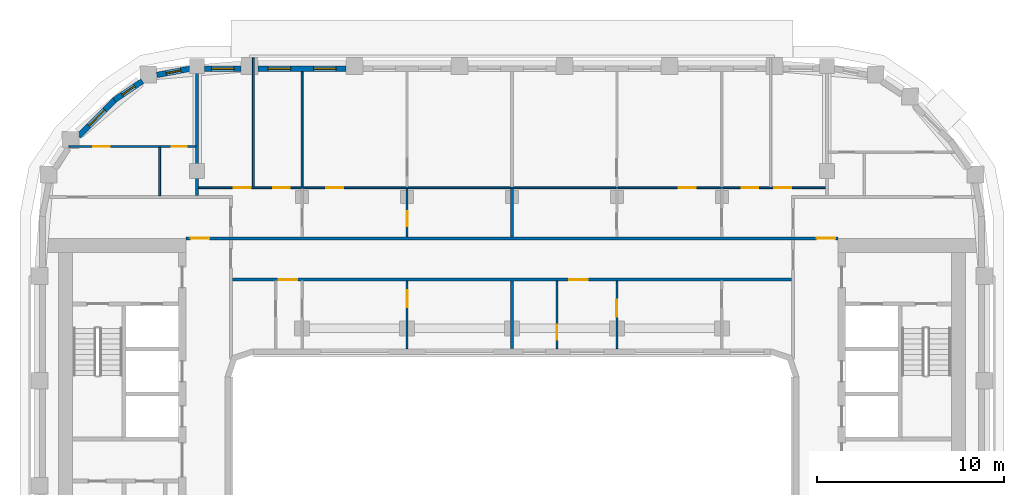
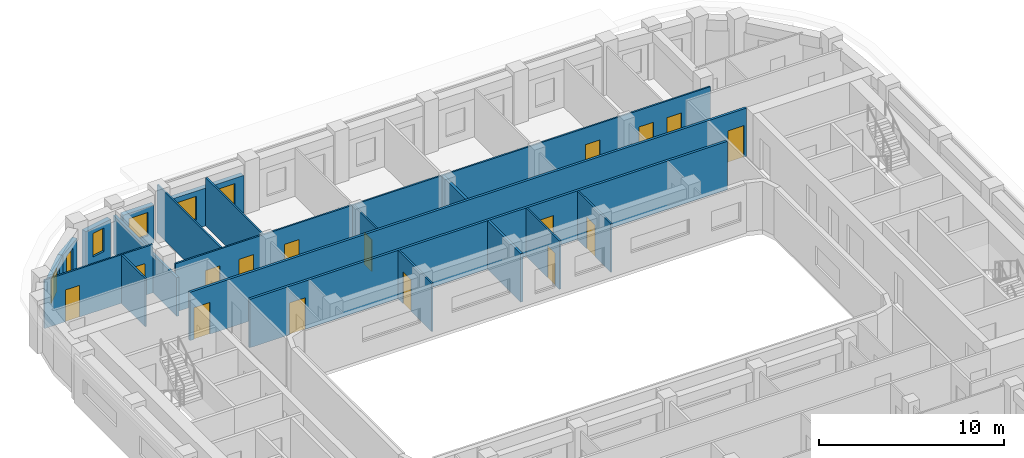
# One storey, part 7 of 20: 19 walls, 16 doors, 6 windows, 22 openings.
"""IFC4 building model written with IfcOpenShell, lengths in metres."""

from ifc_helpers import new_model, si_unit, direction, frame, frame_2d, origin, place, context, subcontext, project, spatial, rectangle, extrude, material, layer, layer_set, type_object, element, fill, save


model = new_model("IFC4")

# Units and contexts
model_context = context("Model", 3, precision=1e-05, world=origin(), true_north=direction((0.0, 1.0)))
body_context = subcontext(model_context, "Body", "Model", "MODEL_VIEW")
ifc_project = project(units=[si_unit("LENGTHUNIT", "METRE"), si_unit("AREAUNIT", "SQUARE_METRE"), si_unit("VOLUMEUNIT", "CUBIC_METRE"), si_unit("PLANEANGLEUNIT", "RADIAN"), si_unit("MASSUNIT", "GRAM", prefix="KILO")], contexts=[model_context])

# Site, building, storey
site_placement = place(None, origin())
site = spatial("IfcSite", under=ifc_project, at=site_placement, CompositionType="ELEMENT")
building_placement = place(site_placement, origin())
building = spatial("IfcBuilding", under=site, at=building_placement, Name="Kiln Ring Residences", CompositionType="ELEMENT")
storey_placement = place(building_placement, frame((0.0, 0.0, 206.39990234375)))
storey = spatial("IfcBuildingStorey", under=building, at=storey_placement, Name="L53", CompositionType="ELEMENT", Elevation=206.39990234375)

# Wall, openings, windows
ifc_material_1 = material(Name="Brick masonry, dark clay brick", Category="masonry")
ifc_layer_1 = layer(ifc_material_1, 0.300048828125)
ifc_layer_set_1 = layer_set([ifc_layer_1], Name="EW-300 BRICK WALL")
wall_type_1 = type_object("IfcWallType", Name="EW-300 BRICK WALL", PredefinedType="SOLIDWALL", material=ifc_layer_set_1)
wall_1_placement = place(storey_placement, frame((-8.85009765625, 22.25, 0.0), z_axis=(0.0, 0.0, 1.0), x_axis=(-1.0, 0.0, 0.0)))
wall_1 = element("IfcWall", 1, at=wall_1_placement, inside=storey, type_object=wall_type_1, Name="Facade wall L53 32", PredefinedType="SOLIDWALL", context=body_context, shape_type="SweptSolid", body=[
    extrude(rectangle(XDim=4.699951171875, YDim=0.300048828125, at=frame_2d((2.35009765625, 0.0))), origin(), (0.0, 0.0, 1.0), 2.5),
])
opening_1_placement = place(wall_1_placement, frame((0.53759765625, 0.0, 0.60009765625)))
opening_1 = element("IfcOpeningElement", 2, at=opening_1_placement, cuts=wall_1, Name="Opening W1", PredefinedType="OPENING", context=body_context, shape_type="SweptSolid", body=[
    extrude(rectangle(XDim=1.199951171875, YDim=1.550048828125, at=frame_2d((0.60009765625, 0.77490234375))), frame((0.0, 0.159912109375, 0.0), z_axis=(0.0, -1.0, 0.0), x_axis=(1.0, 0.0, 0.0)), (0.0, 0.0, 1.0), 0.320068359375),
])
opening_2_placement = place(wall_1_placement, frame((2.96240234375, 0.0, 0.60009765625)))
opening_2 = element("IfcOpeningElement", 3, at=opening_2_placement, cuts=wall_1, Name="Opening W1", PredefinedType="OPENING", context=body_context, shape_type="SweptSolid", body=[
    extrude(rectangle(XDim=1.199951171875, YDim=1.550048828125, at=frame_2d((0.60009765625, 0.77490234375))), frame((0.0, 0.159912109375, 0.0), z_axis=(0.0, -1.0, 0.0), x_axis=(1.0, 0.0, 0.0)), (0.0, 0.0, 1.0), 0.320068359375),
])
ifc_material_2 = material(Name="Aluminium frame with double glazing", Category="aluminium")
window_type_1 = type_object("IfcWindowType", Name="WINDOW 1200 x 1550", PartitioningType="SINGLE_PANEL", PredefinedType="WINDOW", material=ifc_material_2)
window_1_placement = place(opening_1_placement, origin())
window_1 = element("IfcWindow", 4, at=window_1_placement, inside=storey, type_object=window_type_1, Name="Window L53 28", OverallHeight=1.550048828125, OverallWidth=1.199951171875, PartitioningType="SINGLE_PANEL", PredefinedType="WINDOW", context=body_context, shape_type="SweptSolid", body=[
    extrude(rectangle(XDim=1.199951171875, YDim=1.550048828125, at=frame_2d((0.60009765625, 0.77490234375))), frame((0.0, 0.030029296875, 0.0), z_axis=(0.0, -1.0, 0.0), x_axis=(1.0, 0.0, 0.0)), (0.0, 0.0, 1.0), 0.06005859375),
])
fill(opening_1, window_1)
window_2_placement = place(opening_2_placement, origin())
window_2 = element("IfcWindow", 5, at=window_2_placement, inside=storey, type_object=window_type_1, Name="Window L53 29", OverallHeight=1.550048828125, OverallWidth=1.199951171875, PartitioningType="SINGLE_PANEL", PredefinedType="WINDOW", context=body_context, shape_type="SweptSolid", body=[
    extrude(rectangle(XDim=1.199951171875, YDim=1.550048828125, at=frame_2d((0.60009765625, 0.77490234375))), frame((0.0, 0.030029296875, 0.0), z_axis=(0.0, -1.0, 0.0), x_axis=(1.0, 0.0, 0.0)), (0.0, 0.0, 1.0), 0.06005859375),
])
fill(opening_2, window_2)

# Wall, opening, window
wall_2_placement = place(storey_placement, frame((-14.449951171875, 22.25, 0.0), z_axis=(0.0, 0.0, 1.0), x_axis=(-1.0, 0.0, 0.0)))
wall_2 = element("IfcWall", 6, at=wall_2_placement, inside=storey, type_object=wall_type_1, Name="Facade wall L53 33", PredefinedType="SOLIDWALL", context=body_context, shape_type="SweptSolid", body=[
    extrude(rectangle(XDim=1.949951171875, YDim=0.300048828125, at=frame_2d((0.97509765625, 0.0))), origin(), (0.0, 0.0, 1.0), 2.5),
])
opening_3_placement = place(wall_2_placement, frame((0.375, 0.0, 0.60009765625)))
opening_3 = element("IfcOpeningElement", 7, at=opening_3_placement, cuts=wall_2, Name="Opening W1", PredefinedType="OPENING", context=body_context, shape_type="SweptSolid", body=[
    extrude(rectangle(XDim=1.199951171875, YDim=1.550048828125, at=frame_2d((0.60009765625, 0.77490234375))), frame((0.0, 0.159912109375, 0.0), z_axis=(0.0, -1.0, 0.0), x_axis=(1.0, 0.0, 0.0)), (0.0, 0.0, 1.0), 0.320068359375),
])
window_3_placement = place(opening_3_placement, origin())
window_3 = element("IfcWindow", 8, at=window_3_placement, inside=storey, type_object=window_type_1, Name="Window L53 30", OverallHeight=1.550048828125, OverallWidth=1.199951171875, PartitioningType="SINGLE_PANEL", PredefinedType="WINDOW", context=body_context, shape_type="SweptSolid", body=[
    extrude(rectangle(XDim=1.199951171875, YDim=1.550048828125, at=frame_2d((0.60009765625, 0.77490234375))), frame((0.0, 0.030029296875, 0.0), z_axis=(0.0, -1.0, 0.0), x_axis=(1.0, 0.0, 0.0)), (0.0, 0.0, 1.0), 0.06005859375),
])
fill(opening_3, window_3)

wall_3_placement = place(storey_placement, frame((-17.178955078125, 22.251220703125, 0.0), z_axis=(0.0, 0.0, 1.0), x_axis=(-0.98230529033, -0.187286722942, 0.0)))
wall_3 = element("IfcWall", 9, at=wall_3_placement, inside=storey, type_object=wall_type_1, Name="Facade wall L53 34", PredefinedType="SOLIDWALL", context=body_context, shape_type="SweptSolid", body=[
    extrude(rectangle(XDim=1.798828125, YDim=0.300048828125, at=frame_2d((0.8994140625, 0.0))), origin(), (0.0, 0.0, 1.0), 2.5),
])
opening_4_placement = place(wall_3_placement, frame((0.49951171875, 0.0, 0.60009765625)))
opening_4 = element("IfcOpeningElement", 10, at=opening_4_placement, cuts=wall_3, Name="Opening W5", PredefinedType="OPENING", context=body_context, shape_type="SweptSolid", body=[
    extrude(rectangle(XDim=0.800048828125, YDim=1.550048828125, at=frame_2d((0.39990234375, 0.77490234375))), frame((0.0, 0.159912109375, 0.0), z_axis=(0.0, -1.0, 0.0), x_axis=(1.0, 0.0, 0.0)), (0.0, 0.0, 1.0), 0.320068359375),
])
ifc_material_3 = material(Name="Aluminium frame with double glazing", Category="aluminium")
window_type_2 = type_object("IfcWindowType", Name="WINDOW 800 x 1550", PartitioningType="SINGLE_PANEL", PredefinedType="WINDOW", material=ifc_material_3)
window_4_placement = place(opening_4_placement, origin())
window_4 = element("IfcWindow", 11, at=window_4_placement, inside=storey, type_object=window_type_2, Name="Window L53 31", OverallHeight=1.550048828125, OverallWidth=0.800048828125, PartitioningType="SINGLE_PANEL", PredefinedType="WINDOW", context=body_context, shape_type="SweptSolid", body=[
    extrude(rectangle(XDim=0.800048828125, YDim=1.550048828125, at=frame_2d((0.39990234375, 0.77490234375))), frame((0.0, 0.030029296875, 0.0), z_axis=(0.0, -1.0, 0.0), x_axis=(1.0, 0.0, 0.0)), (0.0, 0.0, 1.0), 0.06005859375),
])
fill(opening_4, window_4)

wall_4_placement = place(storey_placement, frame((-19.718994140625, 21.593994140625, 0.0), z_axis=(0.0, 0.0, 1.0), x_axis=(-0.827067282455, -0.562102935673, 0.0)))
wall_4 = element("IfcWall", 12, at=wall_4_placement, inside=storey, type_object=wall_type_1, Name="Facade wall L53 35", PredefinedType="SOLIDWALL", context=body_context, shape_type="SweptSolid", body=[
    extrude(rectangle(XDim=1.805908203125, YDim=0.300048828125, at=frame_2d((0.90283203125, 0.0))), origin(), (0.0, 0.0, 1.0), 2.5),
])
opening_5_placement = place(wall_4_placement, frame((0.5029296875, 0.0, 0.60009765625)))
opening_5 = element("IfcOpeningElement", 13, at=opening_5_placement, cuts=wall_4, Name="Opening W5", PredefinedType="OPENING", context=body_context, shape_type="SweptSolid", body=[
    extrude(rectangle(XDim=0.800048828125, YDim=1.550048828125, at=frame_2d((0.39990234375, 0.77490234375))), frame((0.0, 0.159912109375, 0.0), z_axis=(0.0, -1.0, 0.0), x_axis=(1.0, 0.0, 0.0)), (0.0, 0.0, 1.0), 0.320068359375),
])
window_5_placement = place(opening_5_placement, origin())
window_5 = element("IfcWindow", 14, at=window_5_placement, inside=storey, type_object=window_type_2, Name="Window L53 32", OverallHeight=1.550048828125, OverallWidth=0.800048828125, PartitioningType="SINGLE_PANEL", PredefinedType="WINDOW", context=body_context, shape_type="SweptSolid", body=[
    extrude(rectangle(XDim=0.800048828125, YDim=1.550048828125, at=frame_2d((0.39990234375, 0.77490234375))), frame((0.0, 0.030029296875, 0.0), z_axis=(0.0, -1.0, 0.0), x_axis=(1.0, 0.0, 0.0)), (0.0, 0.0, 1.0), 0.06005859375),
])
fill(opening_5, window_5)

wall_5_placement = place(storey_placement, frame((-21.19091796875, 20.596923828125, 0.0), z_axis=(0.0, 0.0, 1.0), x_axis=(-0.707106781187, -0.707106781187, 0.0)))
wall_5 = element("IfcWall", 15, at=wall_5_placement, inside=storey, type_object=wall_type_1, Name="Facade wall L53 36", PredefinedType="SOLIDWALL", context=body_context, shape_type="SweptSolid", body=[
    extrude(rectangle(XDim=2.75, YDim=0.300048828125, at=frame_2d((1.375, 0.0))), origin(), (0.0, 0.0, 1.0), 2.5),
])
opening_6_placement = place(wall_5_placement, frame((0.77490234375, 0.0, 0.60009765625)))
opening_6 = element("IfcOpeningElement", 16, at=opening_6_placement, cuts=wall_5, Name="Opening W1", PredefinedType="OPENING", context=body_context, shape_type="SweptSolid", body=[
    extrude(rectangle(XDim=1.199951171875, YDim=1.550048828125, at=frame_2d((0.60009765625, 0.77490234375))), frame((0.0, 0.159912109375, 0.0), z_axis=(0.0, -1.0, 0.0), x_axis=(1.0, 0.0, 0.0)), (0.0, 0.0, 1.0), 0.320068359375),
])
window_6_placement = place(opening_6_placement, origin())
window_6 = element("IfcWindow", 17, at=window_6_placement, inside=storey, type_object=window_type_1, Name="Window L53 33", OverallHeight=1.550048828125, OverallWidth=1.199951171875, PartitioningType="SINGLE_PANEL", PredefinedType="WINDOW", context=body_context, shape_type="SweptSolid", body=[
    extrude(rectangle(XDim=1.199951171875, YDim=1.550048828125, at=frame_2d((0.60009765625, 0.77490234375))), frame((0.0, 0.030029296875, 0.0), z_axis=(0.0, -1.0, 0.0), x_axis=(1.0, 0.0, 0.0)), (0.0, 0.0, 1.0), 0.06005859375),
])
fill(opening_6, window_6)

# Wall, openings, doors
ifc_material_4 = material(Name="Gypsum board on steel studs", Category="steel")
ifc_layer_2 = layer(ifc_material_4, 0.10009765625)
ifc_layer_set_2 = layer_set([ifc_layer_2], Name="PARTITION-100")
wall_type_2 = type_object("IfcWallType", Name="PARTITION-100", PredefinedType="PARTITIONING", material=ifc_layer_set_2)
wall_6_placement = place(storey_placement, frame((-16.72509765625, 15.89990234375, 0.0), z_axis=(0.0, 0.0, 1.0), x_axis=(1.0, 0.0, 0.0)))
wall_6 = element("IfcWall", 18, at=wall_6_placement, inside=storey, type_object=wall_type_2, Name="Partition 011", PredefinedType="PARTITIONING", context=body_context, shape_type="SweptSolid", body=[
    extrude(rectangle(XDim=33.4501953125, YDim=0.10009765625, at=frame_2d((16.72509765625, 0.0))), origin(), (0.0, 0.0, 1.0), 3.2001953125),
])
opening_7_placement = place(wall_6_placement, frame((1.875, 0.0, 0.0)))
opening_7 = element("IfcOpeningElement", 19, at=opening_7_placement, cuts=wall_6, Name="Opening L53-D020", PredefinedType="OPENING", context=body_context, shape_type="SweptSolid", body=[
    extrude(rectangle(XDim=0.89990234375, YDim=2.10009765625, at=frame_2d((0.449951171875, 1.050048828125))), frame((0.0, 0.06005859375, 0.0), z_axis=(0.0, -1.0, 0.0), x_axis=(1.0, 0.0, 0.0)), (0.0, 0.0, 1.0), 0.1201171875),
])
opening_8_placement = place(wall_6_placement, frame((3.97509765625, 0.0, 0.0)))
opening_8 = element("IfcOpeningElement", 20, at=opening_8_placement, cuts=wall_6, Name="Opening L53-D021", PredefinedType="OPENING", context=body_context, shape_type="SweptSolid", body=[
    extrude(rectangle(XDim=0.89990234375, YDim=2.10009765625, at=frame_2d((0.449951171875, 1.050048828125))), frame((0.0, 0.06005859375, 0.0), z_axis=(0.0, -1.0, 0.0), x_axis=(1.0, 0.0, 0.0)), (0.0, 0.0, 1.0), 0.1201171875),
])
opening_9_placement = place(wall_6_placement, frame((6.824951171875, 0.0, 0.0)))
opening_9 = element("IfcOpeningElement", 21, at=opening_9_placement, cuts=wall_6, Name="Opening L53-D022", PredefinedType="OPENING", context=body_context, shape_type="SweptSolid", body=[
    extrude(rectangle(XDim=0.89990234375, YDim=2.10009765625, at=frame_2d((0.449951171875, 1.050048828125))), frame((0.0, 0.06005859375, 0.0), z_axis=(0.0, -1.0, 0.0), x_axis=(1.0, 0.0, 0.0)), (0.0, 0.0, 1.0), 0.1201171875),
])
opening_10_placement = place(wall_6_placement, frame((28.97509765625, 0.0, 0.0)))
opening_10 = element("IfcOpeningElement", 22, at=opening_10_placement, cuts=wall_6, Name="Opening L53-D027", PredefinedType="OPENING", context=body_context, shape_type="SweptSolid", body=[
    extrude(rectangle(XDim=0.89990234375, YDim=2.10009765625, at=frame_2d((0.449951171875, 1.050048828125))), frame((0.0, 0.06005859375, 0.0), z_axis=(0.0, -1.0, 0.0), x_axis=(1.0, 0.0, 0.0)), (0.0, 0.0, 1.0), 0.1201171875),
])
opening_11_placement = place(wall_6_placement, frame((30.72509765625, 0.0, 0.0)))
opening_11 = element("IfcOpeningElement", 23, at=opening_11_placement, cuts=wall_6, Name="Opening L53-D028", PredefinedType="OPENING", context=body_context, shape_type="SweptSolid", body=[
    extrude(rectangle(XDim=0.89990234375, YDim=2.10009765625, at=frame_2d((0.449951171875, 1.050048828125))), frame((0.0, 0.06005859375, 0.0), z_axis=(0.0, -1.0, 0.0), x_axis=(1.0, 0.0, 0.0)), (0.0, 0.0, 1.0), 0.1201171875),
])
opening_12_placement = place(wall_6_placement, frame((25.625, 0.0, 0.0)))
opening_12 = element("IfcOpeningElement", 24, at=opening_12_placement, cuts=wall_6, Name="Opening L53-D029", PredefinedType="OPENING", context=body_context, shape_type="SweptSolid", body=[
    extrude(rectangle(XDim=0.89990234375, YDim=2.10009765625, at=frame_2d((0.449951171875, 1.050048828125))), frame((0.0, 0.06005859375, 0.0), z_axis=(0.0, -1.0, 0.0), x_axis=(1.0, 0.0, 0.0)), (0.0, 0.0, 1.0), 0.1201171875),
])
ifc_material_5 = material(Name="Timber door leaf", Category="wood")
door_type_1 = type_object("IfcDoorType", Name="FLAT-DOOR-900-PL", OperationType="SINGLE_SWING_LEFT", PredefinedType="DOOR", material=ifc_material_5)
door_1_placement = place(opening_7_placement, origin())
door_1 = element("IfcDoor", 25, at=door_1_placement, inside=storey, type_object=door_type_1, Name="Door L53-D020", OperationType="SINGLE_SWING_LEFT", OverallHeight=2.10009765625, OverallWidth=0.89990234375, PredefinedType="DOOR", context=body_context, shape_type="SweptSolid", body=[
    extrude(rectangle(XDim=0.89990234375, YDim=2.10009765625, at=frame_2d((0.449951171875, 1.050048828125))), frame((0.0, 0.02490234375, 0.0), z_axis=(0.0, -1.0, 0.0), x_axis=(1.0, 0.0, 0.0)), (0.0, 0.0, 1.0), 0.050048828125),
])
fill(opening_7, door_1)
door_2_placement = place(opening_8_placement, origin())
door_2 = element("IfcDoor", 26, at=door_2_placement, inside=storey, type_object=door_type_1, Name="Door L53-D021", OperationType="SINGLE_SWING_LEFT", OverallHeight=2.10009765625, OverallWidth=0.89990234375, PredefinedType="DOOR", context=body_context, shape_type="SweptSolid", body=[
    extrude(rectangle(XDim=0.89990234375, YDim=2.10009765625, at=frame_2d((0.449951171875, 1.050048828125))), frame((0.0, 0.02490234375, 0.0), z_axis=(0.0, -1.0, 0.0), x_axis=(1.0, 0.0, 0.0)), (0.0, 0.0, 1.0), 0.050048828125),
])
fill(opening_8, door_2)
door_3_placement = place(opening_9_placement, origin())
door_3 = element("IfcDoor", 27, at=door_3_placement, inside=storey, type_object=door_type_1, Name="Door L53-D022", OperationType="SINGLE_SWING_RIGHT", OverallHeight=2.10009765625, OverallWidth=0.89990234375, PredefinedType="DOOR", context=body_context, shape_type="SweptSolid", body=[
    extrude(rectangle(XDim=0.89990234375, YDim=2.10009765625, at=frame_2d((0.449951171875, 1.050048828125))), frame((0.0, 0.02490234375, 0.0), z_axis=(0.0, -1.0, 0.0), x_axis=(1.0, 0.0, 0.0)), (0.0, 0.0, 1.0), 0.050048828125),
])
fill(opening_9, door_3)
door_4_placement = place(opening_10_placement, origin())
door_4 = element("IfcDoor", 28, at=door_4_placement, inside=storey, type_object=door_type_1, Name="Door L53-D027", OperationType="SINGLE_SWING_LEFT", OverallHeight=2.10009765625, OverallWidth=0.89990234375, PredefinedType="DOOR", context=body_context, shape_type="SweptSolid", body=[
    extrude(rectangle(XDim=0.89990234375, YDim=2.10009765625, at=frame_2d((0.449951171875, 1.050048828125))), frame((0.0, 0.02490234375, 0.0), z_axis=(0.0, -1.0, 0.0), x_axis=(1.0, 0.0, 0.0)), (0.0, 0.0, 1.0), 0.050048828125),
])
fill(opening_10, door_4)
door_5_placement = place(opening_11_placement, origin())
door_5 = element("IfcDoor", 29, at=door_5_placement, inside=storey, type_object=door_type_1, Name="Door L53-D028", OperationType="SINGLE_SWING_RIGHT", OverallHeight=2.10009765625, OverallWidth=0.89990234375, PredefinedType="DOOR", context=body_context, shape_type="SweptSolid", body=[
    extrude(rectangle(XDim=0.89990234375, YDim=2.10009765625, at=frame_2d((0.449951171875, 1.050048828125))), frame((0.0, 0.02490234375, 0.0), z_axis=(0.0, -1.0, 0.0), x_axis=(1.0, 0.0, 0.0)), (0.0, 0.0, 1.0), 0.050048828125),
])
fill(opening_11, door_5)
door_6_placement = place(opening_12_placement, origin())
door_6 = element("IfcDoor", 30, at=door_6_placement, inside=storey, type_object=door_type_1, Name="Door L53-D029", OperationType="SINGLE_SWING_LEFT", OverallHeight=2.10009765625, OverallWidth=0.89990234375, PredefinedType="DOOR", context=body_context, shape_type="SweptSolid", body=[
    extrude(rectangle(XDim=0.89990234375, YDim=2.10009765625, at=frame_2d((0.449951171875, 1.050048828125))), frame((0.0, 0.02490234375, 0.0), z_axis=(0.0, -1.0, 0.0), x_axis=(1.0, 0.0, 0.0)), (0.0, 0.0, 1.0), 0.050048828125),
])
fill(opening_12, door_6)

wall_7_placement = place(storey_placement, frame((-23.639892578125, 18.10009765625, 0.0), z_axis=(0.0, 0.0, 1.0), x_axis=(1.0, 0.0, 0.0)))
wall_7 = element("IfcWall", 31, at=wall_7_placement, inside=storey, type_object=wall_type_2, Name="Partition 013", PredefinedType="PARTITIONING", context=body_context, shape_type="SweptSolid", body=[
    extrude(rectangle(XDim=6.764892578125, YDim=0.10009765625, at=frame_2d((3.38232421875, 0.0))), origin(), (0.0, 0.0, 1.0), 3.2001953125),
])
opening_13_placement = place(wall_7_placement, frame((5.489990234375, 0.0, 0.0)))
opening_13 = element("IfcOpeningElement", 32, at=opening_13_placement, cuts=wall_7, Name="Opening L53-D035", PredefinedType="OPENING", context=body_context, shape_type="SweptSolid", body=[
    extrude(rectangle(XDim=0.800048828125, YDim=2.10009765625, at=frame_2d((0.39990234375, 1.050048828125))), frame((0.0, 0.06005859375, 0.0), z_axis=(0.0, -1.0, 0.0), x_axis=(1.0, 0.0, 0.0)), (0.0, 0.0, 1.0), 0.1201171875),
])
opening_14_placement = place(wall_7_placement, frame((1.2900390625, 0.0, 0.0)))
opening_14 = element("IfcOpeningElement", 33, at=opening_14_placement, cuts=wall_7, Name="Opening L53-D036", PredefinedType="OPENING", context=body_context, shape_type="SweptSolid", body=[
    extrude(rectangle(XDim=0.89990234375, YDim=2.10009765625, at=frame_2d((0.449951171875, 1.050048828125))), frame((0.0, 0.06005859375, 0.0), z_axis=(0.0, -1.0, 0.0), x_axis=(1.0, 0.0, 0.0)), (0.0, 0.0, 1.0), 0.1201171875),
])
ifc_material_6 = material(Name="Timber door leaf", Category="wood")
door_type_2 = type_object("IfcDoorType", Name="FLAT-DOOR-800-PL", OperationType="SINGLE_SWING_LEFT", PredefinedType="DOOR", material=ifc_material_6)
door_7_placement = place(opening_13_placement, origin())
door_7 = element("IfcDoor", 34, at=door_7_placement, inside=storey, type_object=door_type_2, Name="Door L53-D035", OperationType="SINGLE_SWING_LEFT", OverallHeight=2.10009765625, OverallWidth=0.800048828125, PredefinedType="DOOR", context=body_context, shape_type="SweptSolid", body=[
    extrude(rectangle(XDim=0.800048828125, YDim=2.10009765625, at=frame_2d((0.39990234375, 1.050048828125))), frame((0.0, 0.02490234375, 0.0), z_axis=(0.0, -1.0, 0.0), x_axis=(1.0, 0.0, 0.0)), (0.0, 0.0, 1.0), 0.050048828125),
])
fill(opening_13, door_7)
door_8_placement = place(opening_14_placement, origin())
door_8 = element("IfcDoor", 35, at=door_8_placement, inside=storey, type_object=door_type_1, Name="Door L53-D036", OperationType="SINGLE_SWING_RIGHT", OverallHeight=2.10009765625, OverallWidth=0.89990234375, PredefinedType="DOOR", context=body_context, shape_type="SweptSolid", body=[
    extrude(rectangle(XDim=0.89990234375, YDim=2.10009765625, at=frame_2d((0.449951171875, 1.050048828125))), frame((0.0, 0.02490234375, 0.0), z_axis=(0.0, -1.0, 0.0), x_axis=(1.0, 0.0, 0.0)), (0.0, 0.0, 1.0), 0.050048828125),
])
fill(opening_14, door_8)

# Walls
wall_8_placement = place(storey_placement, frame((-18.800048828125, 15.47509765625, 0.0), z_axis=(0.0, 0.0, 1.0), x_axis=(0.0, 1.0, 0.0)))
element("IfcWall", 36, at=wall_8_placement, inside=storey, type_object=wall_type_2, Name="Partition 015", PredefinedType="PARTITIONING", context=body_context, shape_type="SweptSolid", body=[
    extrude(rectangle(XDim=2.574951171875, YDim=0.10009765625, at=frame_2d((1.28759765625, 0.0))), origin(), (0.0, 0.0, 1.0), 3.2001953125),
])
wall_9_placement = place(storey_placement, frame((-13.800048828125, 15.949951171875, 0.0), z_axis=(0.0, 0.0, 1.0), x_axis=(0.0, 1.0, 0.0)))
element("IfcWall", 37, at=wall_9_placement, inside=storey, type_object=wall_type_2, Name="Partition 022", PredefinedType="PARTITIONING", context=body_context, shape_type="SweptSolid", body=[
    extrude(rectangle(XDim=6.880126953125, YDim=0.10009765625, at=frame_2d((3.43994140625, 0.0))), origin(), (0.0, 0.0, 1.0), 3.2001953125),
])
wall_10_placement = place(storey_placement, frame((-11.199951171875, 15.949951171875, 0.0), z_axis=(0.0, 0.0, 1.0), x_axis=(0.0, 1.0, 0.0)))
element("IfcWall", 38, at=wall_10_placement, inside=storey, type_object=wall_type_2, Name="Partition 030", PredefinedType="PARTITIONING", context=body_context, shape_type="SweptSolid", body=[
    extrude(rectangle(XDim=6.130126953125, YDim=0.10009765625, at=frame_2d((3.06494140625, 0.0))), origin(), (0.0, 0.0, 1.0), 3.2001953125),
])

# Wall, opening, door
wall_11_placement = place(storey_placement, frame((-5.60009765625, 7.320068359375, 0.0), z_axis=(0.0, 0.0, 1.0), x_axis=(0.0, 1.0, 0.0)))
wall_11 = element("IfcWall", 39, at=wall_11_placement, inside=storey, type_object=wall_type_2, Name="Partition 034", PredefinedType="PARTITIONING", context=body_context, shape_type="SweptSolid", body=[
    extrude(rectangle(XDim=3.60498046875, YDim=0.10009765625, at=frame_2d((1.802490234375, 0.0))), origin(), (0.0, 0.0, 1.0), 3.2001953125),
])
opening_15_placement = place(wall_11_placement, frame((2.199951171875, 0.0, 0.0)))
opening_15 = element("IfcOpeningElement", 40, at=opening_15_placement, cuts=wall_11, Name="Opening L53-D012", PredefinedType="OPENING", context=body_context, shape_type="SweptSolid", body=[
    extrude(rectangle(XDim=0.89990234375, YDim=2.10009765625, at=frame_2d((0.449951171875, 1.050048828125))), frame((0.0, 0.06005859375, 0.0), z_axis=(0.0, -1.0, 0.0), x_axis=(1.0, 0.0, 0.0)), (0.0, 0.0, 1.0), 0.1201171875),
])
door_9_placement = place(opening_15_placement, origin())
door_9 = element("IfcDoor", 41, at=door_9_placement, inside=storey, type_object=door_type_1, Name="Door L53-D012", OperationType="SINGLE_SWING_RIGHT", OverallHeight=2.10009765625, OverallWidth=0.89990234375, PredefinedType="DOOR", context=body_context, shape_type="SweptSolid", body=[
    extrude(rectangle(XDim=0.89990234375, YDim=2.10009765625, at=frame_2d((0.449951171875, 1.050048828125))), frame((0.0, 0.02490234375, 0.0), z_axis=(0.0, -1.0, 0.0), x_axis=(1.0, 0.0, 0.0)), (0.0, 0.0, 1.0), 0.050048828125),
])
fill(opening_15, door_9)

wall_12_placement = place(storey_placement, frame((-5.60009765625, 13.27490234375, 0.0), z_axis=(0.0, 0.0, 1.0), x_axis=(0.0, 1.0, 0.0)))
wall_12 = element("IfcWall", 42, at=wall_12_placement, inside=storey, type_object=wall_type_2, Name="Partition 035", PredefinedType="PARTITIONING", context=body_context, shape_type="SweptSolid", body=[
    extrude(rectangle(XDim=2.5751953125, YDim=0.10009765625, at=frame_2d((1.28759765625, 0.0))), origin(), (0.0, 0.0, 1.0), 3.2001953125),
])
opening_16_placement = place(wall_12_placement, frame((0.575927734375, 0.0, 0.0)))
opening_16 = element("IfcOpeningElement", 43, at=opening_16_placement, cuts=wall_12, Name="Opening L53-D019", PredefinedType="OPENING", context=body_context, shape_type="SweptSolid", body=[
    extrude(rectangle(XDim=0.800048828125, YDim=2.10009765625, at=frame_2d((0.39990234375, 1.050048828125))), frame((0.0, 0.06005859375, 0.0), z_axis=(0.0, -1.0, 0.0), x_axis=(1.0, 0.0, 0.0)), (0.0, 0.0, 1.0), 0.1201171875),
])
door_10_placement = place(opening_16_placement, origin())
door_10 = element("IfcDoor", 44, at=door_10_placement, inside=storey, type_object=door_type_2, Name="Door L53-D019", OperationType="SINGLE_SWING_LEFT", OverallHeight=2.10009765625, OverallWidth=0.800048828125, PredefinedType="DOOR", context=body_context, shape_type="SweptSolid", body=[
    extrude(rectangle(XDim=0.800048828125, YDim=2.10009765625, at=frame_2d((0.39990234375, 1.050048828125))), frame((0.0, 0.02490234375, 0.0), z_axis=(0.0, -1.0, 0.0), x_axis=(1.0, 0.0, 0.0)), (0.0, 0.0, 1.0), 0.050048828125),
])
fill(opening_16, door_10)

wall_13_placement = place(storey_placement, frame((2.39990234375, 7.320068359375, 0.0), z_axis=(0.0, 0.0, 1.0), x_axis=(0.0, 1.0, 0.0)))
wall_13 = element("IfcWall", 45, at=wall_13_placement, inside=storey, type_object=wall_type_2, Name="Partition 043", PredefinedType="PARTITIONING", context=body_context, shape_type="SweptSolid", body=[
    extrude(rectangle(XDim=3.60498046875, YDim=0.10009765625, at=frame_2d((1.802490234375, 0.0))), origin(), (0.0, 0.0, 1.0), 3.2001953125),
])
opening_17_placement = place(wall_13_placement, frame((0.47900390625, 0.0, 0.0)))
opening_17 = element("IfcOpeningElement", 46, at=opening_17_placement, cuts=wall_13, Name="Opening L53-D014", PredefinedType="OPENING", context=body_context, shape_type="SweptSolid", body=[
    extrude(rectangle(XDim=0.800048828125, YDim=2.10009765625, at=frame_2d((0.39990234375, 1.050048828125))), frame((0.0, 0.06005859375, 0.0), z_axis=(0.0, -1.0, 0.0), x_axis=(1.0, 0.0, 0.0)), (0.0, 0.0, 1.0), 0.1201171875),
])
door_11_placement = place(opening_17_placement, origin())
door_11 = element("IfcDoor", 47, at=door_11_placement, inside=storey, type_object=door_type_2, Name="Door L53-D014", OperationType="SINGLE_SWING_RIGHT", OverallHeight=2.10009765625, OverallWidth=0.800048828125, PredefinedType="DOOR", context=body_context, shape_type="SweptSolid", body=[
    extrude(rectangle(XDim=0.800048828125, YDim=2.10009765625, at=frame_2d((0.39990234375, 1.050048828125))), frame((0.0, 0.02490234375, 0.0), z_axis=(0.0, -1.0, 0.0), x_axis=(1.0, 0.0, 0.0)), (0.0, 0.0, 1.0), 0.050048828125),
])
fill(opening_17, door_11)

wall_14_placement = place(storey_placement, frame((5.60009765625, 7.320068359375, 0.0), z_axis=(0.0, 0.0, 1.0), x_axis=(0.0, 1.0, 0.0)))
wall_14 = element("IfcWall", 48, at=wall_14_placement, inside=storey, type_object=wall_type_2, Name="Partition 047", PredefinedType="PARTITIONING", context=body_context, shape_type="SweptSolid", body=[
    extrude(rectangle(XDim=3.60498046875, YDim=0.10009765625, at=frame_2d((1.802490234375, 0.0))), origin(), (0.0, 0.0, 1.0), 3.2001953125),
])
opening_18_placement = place(wall_14_placement, frame((1.699951171875, 0.0, 0.0)))
opening_18 = element("IfcOpeningElement", 49, at=opening_18_placement, cuts=wall_14, Name="Opening L53-D015", PredefinedType="OPENING", context=body_context, shape_type="SweptSolid", body=[
    extrude(rectangle(XDim=0.89990234375, YDim=2.10009765625, at=frame_2d((0.449951171875, 1.050048828125))), frame((0.0, 0.06005859375, 0.0), z_axis=(0.0, -1.0, 0.0), x_axis=(1.0, 0.0, 0.0)), (0.0, 0.0, 1.0), 0.1201171875),
])
door_12_placement = place(opening_18_placement, origin())
door_12 = element("IfcDoor", 50, at=door_12_placement, inside=storey, type_object=door_type_1, Name="Door L53-D015", OperationType="SINGLE_SWING_RIGHT", OverallHeight=2.10009765625, OverallWidth=0.89990234375, PredefinedType="DOOR", context=body_context, shape_type="SweptSolid", body=[
    extrude(rectangle(XDim=0.89990234375, YDim=2.10009765625, at=frame_2d((0.449951171875, 1.050048828125))), frame((0.0, 0.02490234375, 0.0), z_axis=(0.0, -1.0, 0.0), x_axis=(1.0, 0.0, 0.0)), (0.0, 0.0, 1.0), 0.050048828125),
])
fill(opening_18, door_12)

# Wall, openings, doors
ifc_material_7 = material(Name="Brick masonry partition", Category="masonry")
ifc_layer_3 = layer(ifc_material_7, 0.14990234375)
ifc_layer_set_3 = layer_set([ifc_layer_3], Name="PARTITION-150-ei60")
wall_type_3 = type_object("IfcWallType", Name="PARTITION-150-ei60", PredefinedType="PARTITIONING", material=ifc_layer_set_3)
wall_15_placement = place(storey_placement, frame((-14.925048828125, 11.0, 0.0), z_axis=(0.0, 0.0, 1.0), x_axis=(1.0, 0.0, 0.0)))
wall_15 = element("IfcWall", 51, at=wall_15_placement, inside=storey, type_object=wall_type_3, Name="Partition 007", PredefinedType="PARTITIONING", context=body_context, shape_type="SweptSolid", body=[
    extrude(rectangle(XDim=29.85009765625, YDim=0.14990234375, at=frame_2d((14.925048828125, 0.0))), origin(), (0.0, 0.0, 1.0), 3.2001953125),
])
opening_19_placement = place(wall_15_placement, frame((2.47509765625, 0.0, 0.0)))
opening_19 = element("IfcOpeningElement", 52, at=opening_19_placement, cuts=wall_15, Name="Opening L53-D009", PredefinedType="OPENING", context=body_context, shape_type="SweptSolid", body=[
    extrude(rectangle(XDim=1.0, YDim=2.10009765625, at=frame_2d((0.5, 1.050048828125))), frame((0.0, 0.0849609375, 0.0), z_axis=(0.0, -1.0, 0.0), x_axis=(1.0, 0.0, 0.0)), (0.0, 0.0, 1.0), 0.169921875),
])
opening_20_placement = place(wall_15_placement, frame((17.97509765625, 0.0, 0.0)))
opening_20 = element("IfcOpeningElement", 53, at=opening_20_placement, cuts=wall_15, Name="Opening L53-D013", PredefinedType="OPENING", context=body_context, shape_type="SweptSolid", body=[
    extrude(rectangle(XDim=1.0, YDim=2.10009765625, at=frame_2d((0.5, 1.050048828125))), frame((0.0, 0.0849609375, 0.0), z_axis=(0.0, -1.0, 0.0), x_axis=(1.0, 0.0, 0.0)), (0.0, 0.0, 1.0), 0.169921875),
])
ifc_material_8 = material(Name="Steel faced fire door leaf", Category="steel")
door_type_3 = type_object("IfcDoorType", Name="FLAT-DOOR-1000-FR", OperationType="SINGLE_SWING_LEFT", PredefinedType="DOOR", material=ifc_material_8)
door_13_placement = place(opening_19_placement, origin())
door_13 = element("IfcDoor", 54, at=door_13_placement, inside=storey, type_object=door_type_3, Name="Door L53-D009", OperationType="SINGLE_SWING_LEFT", OverallHeight=2.10009765625, OverallWidth=1.0, PredefinedType="DOOR", context=body_context, shape_type="SweptSolid", body=[
    extrude(rectangle(XDim=1.0, YDim=2.10009765625, at=frame_2d((0.5, 1.050048828125))), frame((0.0, 0.02490234375, 0.0), z_axis=(0.0, -1.0, 0.0), x_axis=(1.0, 0.0, 0.0)), (0.0, 0.0, 1.0), 0.050048828125),
])
fill(opening_19, door_13)
door_14_placement = place(opening_20_placement, origin())
door_14 = element("IfcDoor", 55, at=door_14_placement, inside=storey, type_object=door_type_3, Name="Door L53-D013", OperationType="SINGLE_SWING_LEFT", OverallHeight=2.10009765625, OverallWidth=1.0, PredefinedType="DOOR", context=body_context, shape_type="SweptSolid", body=[
    extrude(rectangle(XDim=1.0, YDim=2.10009765625, at=frame_2d((0.5, 1.050048828125))), frame((0.0, 0.02490234375, 0.0), z_axis=(0.0, -1.0, 0.0), x_axis=(1.0, 0.0, 0.0)), (0.0, 0.0, 1.0), 0.050048828125),
])
fill(opening_20, door_14)

wall_16_placement = place(storey_placement, frame((-17.39990234375, 13.199951171875, 0.0), z_axis=(0.0, 0.0, 1.0), x_axis=(1.0, 0.0, 0.0)))
wall_16 = element("IfcWall", 56, at=wall_16_placement, inside=storey, type_object=wall_type_3, Name="Partition 008", PredefinedType="PARTITIONING", context=body_context, shape_type="SweptSolid", body=[
    extrude(rectangle(XDim=34.7998046875, YDim=0.14990234375, at=frame_2d((17.39990234375, 0.0))), origin(), (0.0, 0.0, 1.0), 3.2001953125),
])
opening_21_placement = place(wall_16_placement, frame((0.25, 0.0, 0.0)))
opening_21 = element("IfcOpeningElement", 57, at=opening_21_placement, cuts=wall_16, Name="Opening L53-D003", PredefinedType="OPENING", context=body_context, shape_type="SweptSolid", body=[
    extrude(rectangle(XDim=1.0, YDim=2.10009765625, at=frame_2d((0.5, 1.050048828125))), frame((0.0, 0.0849609375, 0.0), z_axis=(0.0, -1.0, 0.0), x_axis=(1.0, 0.0, 0.0)), (0.0, 0.0, 1.0), 0.169921875),
])
opening_22_placement = place(wall_16_placement, frame((33.64990234375, 0.0, 0.0)))
opening_22 = element("IfcOpeningElement", 58, at=opening_22_placement, cuts=wall_16, Name="Opening L53-D004", PredefinedType="OPENING", context=body_context, shape_type="SweptSolid", body=[
    extrude(rectangle(XDim=1.0, YDim=2.10009765625, at=frame_2d((0.5, 1.050048828125))), frame((0.0, 0.0849609375, 0.0), z_axis=(0.0, -1.0, 0.0), x_axis=(1.0, 0.0, 0.0)), (0.0, 0.0, 1.0), 0.169921875),
])
door_15_placement = place(opening_21_placement, origin())
door_15 = element("IfcDoor", 59, at=door_15_placement, inside=storey, type_object=door_type_3, Name="Door L53-D003", OperationType="SINGLE_SWING_LEFT", OverallHeight=2.10009765625, OverallWidth=1.0, PredefinedType="DOOR", context=body_context, shape_type="SweptSolid", body=[
    extrude(rectangle(XDim=1.0, YDim=2.10009765625, at=frame_2d((0.5, 1.050048828125))), frame((0.0, 0.02490234375, 0.0), z_axis=(0.0, -1.0, 0.0), x_axis=(1.0, 0.0, 0.0)), (0.0, 0.0, 1.0), 0.050048828125),
])
fill(opening_21, door_15)
door_16_placement = place(opening_22_placement, origin())
door_16 = element("IfcDoor", 60, at=door_16_placement, inside=storey, type_object=door_type_3, Name="Door L53-D004", OperationType="SINGLE_SWING_RIGHT", OverallHeight=2.10009765625, OverallWidth=1.0, PredefinedType="DOOR", context=body_context, shape_type="SweptSolid", body=[
    extrude(rectangle(XDim=1.0, YDim=2.10009765625, at=frame_2d((0.5, 1.050048828125))), frame((0.0, 0.02490234375, 0.0), z_axis=(0.0, -1.0, 0.0), x_axis=(1.0, 0.0, 0.0)), (0.0, 0.0, 1.0), 0.050048828125),
])
fill(opening_22, door_16)

# Walls
wall_17_placement = place(storey_placement, frame((-16.800048828125, 15.47509765625, 0.0), z_axis=(0.0, 0.0, 1.0), x_axis=(0.0, 1.0, 0.0)))
element("IfcWall", 61, at=wall_17_placement, inside=storey, type_object=wall_type_3, Name="Partition 017", PredefinedType="PARTITIONING", context=body_context, shape_type="SweptSolid", body=[
    extrude(rectangle(XDim=6.8349609375, YDim=0.14990234375, at=frame_2d((3.41748046875, 0.0))), origin(), (0.0, 0.0, 1.0), 2.550048828125),
])
wall_18_placement = place(storey_placement, frame((0.0, 7.320068359375, 0.0), z_axis=(0.0, 0.0, 1.0), x_axis=(0.0, 1.0, 0.0)))
element("IfcWall", 62, at=wall_18_placement, inside=storey, type_object=wall_type_3, Name="Partition 040", PredefinedType="PARTITIONING", context=body_context, shape_type="SweptSolid", body=[
    extrude(rectangle(XDim=3.60498046875, YDim=0.14990234375, at=frame_2d((1.802490234375, 0.0))), origin(), (0.0, 0.0, 1.0), 3.2001953125),
])
wall_19_placement = place(storey_placement, frame((0.0, 13.27490234375, 0.0), z_axis=(0.0, 0.0, 1.0), x_axis=(0.0, 1.0, 0.0)))
element("IfcWall", 63, at=wall_19_placement, inside=storey, type_object=wall_type_3, Name="Partition 041", PredefinedType="PARTITIONING", context=body_context, shape_type="SweptSolid", body=[
    extrude(rectangle(XDim=2.5751953125, YDim=0.14990234375, at=frame_2d((1.28759765625, 0.0))), origin(), (0.0, 0.0, 1.0), 3.2001953125),
])

save(model, "model.ifc")
